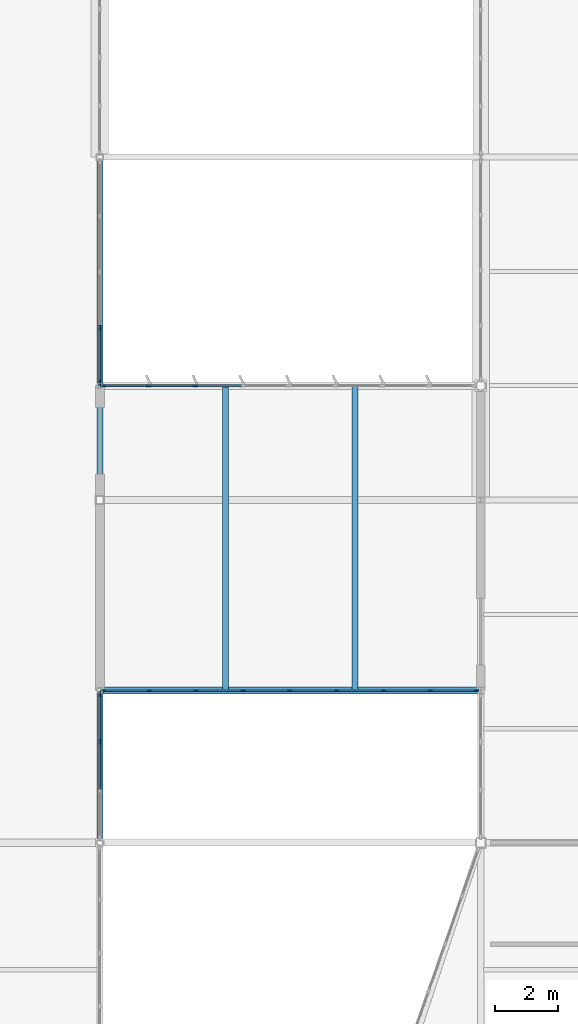
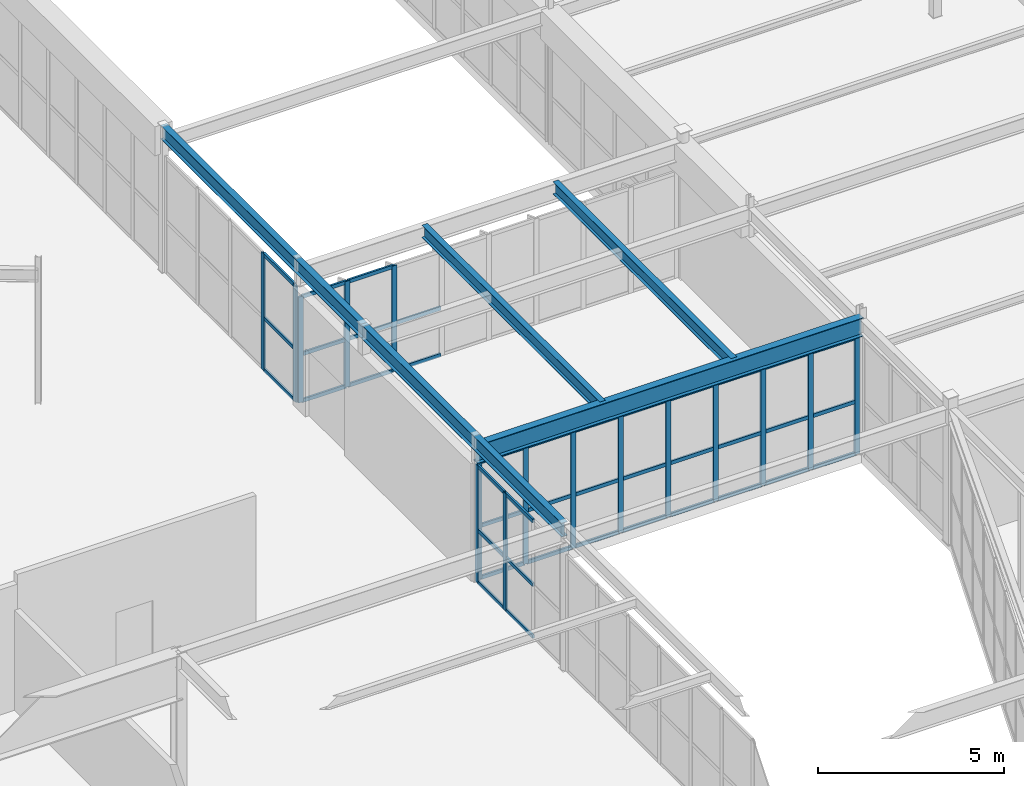
# One storey, part 104 of 186: 57 members, 5 beams, 4 elements without a shape of their own.
"""IFC4 building model written with IfcOpenShell, lengths in metres."""

from ifc_helpers import new_model, si_unit, direction, frame, origin, origin_2d, place, context, subcontext, project, spatial, rectangle, i_section, extrude, material, layer, layer_set, material_profile, profile_set, type_object, element, aggregate, save


model = new_model("IFC4")

# Units and contexts
model_context = context("Model", 3, precision=1e-05, world=origin(), true_north=direction((0.0, 1.0)))
body_context = subcontext(model_context, "Body", "Model", "MODEL_VIEW")
ifc_project = project(units=[si_unit("LENGTHUNIT", "METRE"), si_unit("AREAUNIT", "SQUARE_METRE"), si_unit("VOLUMEUNIT", "CUBIC_METRE"), si_unit("PLANEANGLEUNIT", "RADIAN"), si_unit("MASSUNIT", "GRAM", prefix="KILO")], contexts=[model_context])

# Site, building, storey
site_placement = place(None, origin())
site = spatial("IfcSite", under=ifc_project, at=site_placement, CompositionType="ELEMENT")
building_placement = place(site_placement, origin())
building = spatial("IfcBuilding", under=site, at=building_placement, Name="Tarnwether General Hospital", CompositionType="ELEMENT")
storey_placement = place(building_placement, frame((0.0, 0.0, 9.60009765625)))
storey = spatial("IfcBuildingStorey", under=building, at=storey_placement, Name="L02", CompositionType="ELEMENT", Elevation=9.60009765625)

# Beams
ifc_material_1 = material(Name="Steel Grade 350 (350 MPa)", Category="steel")
ifc_material_profile_1 = material_profile(ifc_material_1, i_section(OverallWidth=0.22900390625, OverallDepth=0.612060546875, WebThickness=0.011962890625, FlangeThickness=0.01953125, at=origin_2d()), Name="610UB125")
ifc_profile_set_1 = profile_set([ifc_material_profile_1], Name="Steel Grade 350 (350 MPa)")
beam_type_1 = type_object("IfcBeamType", Name="BM-G03", PredefinedType="BEAM", material=ifc_profile_set_1)
beam_1_placement = place(storey_placement, frame((132.0, 98.39990234375, 4.183837890625), z_axis=(1.0, 0.0, 0.0), x_axis=(0.0, 1.0, 0.0)))
element("IfcBeam", 1, at=beam_1_placement, inside=storey, type_object=beam_type_1, Name="Court Link Bridge Girder North BMG-L02-13200_9840-14400_9840-1874", PredefinedType="BEAM", context=body_context, shape_type="SweptSolid", body=[
    extrude(i_section(OverallWidth=0.22900390625, OverallDepth=0.612060546875, WebThickness=0.011962890625, FlangeThickness=0.01953125, at=origin_2d()), origin(), (0.0, 0.0, 1.0), 12.0),
])
ifc_material_2 = material(Name="Steel Grade 350 (350 MPa)", Category="steel")
ifc_material_profile_2 = material_profile(ifc_material_2, i_section(OverallWidth=0.18994140625, OverallDepth=0.45703125, WebThickness=0.009033203125, FlangeThickness=0.014404296875, at=origin_2d()), Name="460UB74.6")
ifc_profile_set_2 = profile_set([ifc_material_profile_2], Name="Steel Grade 350 (350 MPa)")
beam_type_2 = type_object("IfcBeamType", Name="BM-G09", PredefinedType="BEAM", material=ifc_profile_set_2)
beam_2_placement = place(storey_placement, frame((132.0, 93.60009765625, 4.5712890625), z_axis=(0.0, 1.0, 0.0), x_axis=(-1.0, 0.0, 0.0)))
element("IfcBeam", 2, at=beam_2_placement, inside=storey, type_object=beam_type_2, Name="Primary Girder BMG-L02-13200_9360-13200_10440-1561", PredefinedType="BEAM", context=body_context, shape_type="SweptSolid", body=[
    extrude(i_section(OverallWidth=0.18994140625, OverallDepth=0.45703125, WebThickness=0.009033203125, FlangeThickness=0.014404296875, at=origin_2d()), origin(), (0.0, 0.0, 1.0), 10.7998046875),
])
ifc_material_3 = material(Name="Steel Grade 350 (350 MPa)", Category="steel")
ifc_material_profile_3 = material_profile(ifc_material_3, i_section(OverallWidth=0.18994140625, OverallDepth=0.4541015625, WebThickness=0.008544921875, FlangeThickness=0.0126953125, at=origin_2d()), Name="460UB67.1")
ifc_profile_set_3 = profile_set([ifc_material_profile_3], Name="Steel Grade 350 (350 MPa)")
beam_type_3 = type_object("IfcBeamType", Name="BM-G10", PredefinedType="BEAM", material=ifc_profile_set_3)
beam_3_placement = place(storey_placement, frame((132.0, 104.39990234375, 4.572998046875), z_axis=(0.0, 1.0, 0.0), x_axis=(-1.0, 0.0, 0.0)))
element("IfcBeam", 3, at=beam_3_placement, inside=storey, type_object=beam_type_3, Name="Primary Girder BMG-L02-13200_10440-13200_11520-1563", PredefinedType="BEAM", context=body_context, shape_type="SweptSolid", body=[
    extrude(i_section(OverallWidth=0.18994140625, OverallDepth=0.4541015625, WebThickness=0.008544921875, FlangeThickness=0.0126953125, at=origin_2d()), origin(), (0.0, 0.0, 1.0), 10.800048828125),
])
ifc_material_4 = material(Name="Steel Grade 350 (350 MPa)", Category="steel")
ifc_material_profile_4 = material_profile(ifc_material_4, i_section(OverallWidth=0.177978515625, OverallDepth=0.403076171875, WebThickness=0.007568359375, FlangeThickness=0.010986328125, at=origin_2d()), Name="410UB53.7")
ifc_profile_set_4 = profile_set([ifc_material_profile_4], Name="Steel Grade 350 (350 MPa)")
beam_type_4 = type_object("IfcBeamType", Name="BM-J02", PredefinedType="JOIST", material=ifc_profile_set_4)
for number, where, z_axis, x_axis, name in (
    (4, (135.9599609375, 98.39990234375, 4.288330078125), (0.0, 1.0, 0.0), (-1.0, 0.0, 0.0), "Court Link Bridge Cross Beam North BMG-L02-13596_9840-13596_10800-1876"),
    (5, (140.0400390625, 98.39990234375, 4.288330078125), (0.0, 1.0, 0.0), (-1.0, 0.0, 0.0), "Court Link Bridge Cross Beam North BMG-L02-14004_9840-14004_10800-1877"),
):
    element("IfcBeam", number, at=place(storey_placement, frame(where, z_axis=z_axis, x_axis=x_axis)), inside=storey, type_object=beam_type_4, Name=name, PredefinedType="JOIST", context=body_context, shape_type="SweptSolid", body=[
        extrude(i_section(OverallWidth=0.177978515625, OverallDepth=0.403076171875, WebThickness=0.007568359375, FlangeThickness=0.010986328125, at=origin_2d()), origin(), (0.0, 0.0, 1.0), 9.60009765625),
    ])

# Curtain wall, members
ifc_material_5 = material(Name="Anodised aluminium", Category="aluminium")
ifc_layer_1 = layer(ifc_material_5, 0.159912109375)
ifc_layer_set_1 = layer_set([ifc_layer_1], Name="Anodised aluminium")
curtain_wall_type_1 = type_object("IfcCurtainWallType", Name="CW-15", PredefinedType="NOTDEFINED", material=ifc_layer_set_1)
curtain_wall_1_placement = place(storey_placement, origin())
curtain_wall_1 = element("IfcCurtainWall", 6, at=curtain_wall_1_placement, inside=storey, type_object=curtain_wall_type_1, Name="Curtain Wall CWG-L02-1320_983-0443", PredefinedType="NOTDEFINED")
ifc_material_6 = material(Name="Anodised aluminium", Category="aluminium")
ifc_material_profile_5 = material_profile(ifc_material_6, rectangle(XDim=0.06005859375, YDim=0.159912109375, at=origin_2d()), Name="ALU-MUL-60x160")
ifc_profile_set_5 = profile_set([ifc_material_profile_5], Name="Anodised aluminium")
member_type_1 = type_object("IfcMemberType", Name="CW-ML1", PredefinedType="MULLION", material=ifc_profile_set_5)
member_1_placement = place(storey_placement, frame((132.0, 98.287109375, 0.0), z_axis=(0.0, 0.0, 1.0), x_axis=(1.0, 0.0, 0.0)))
member_1 = element("IfcMember", 7, at=member_1_placement, type_object=member_type_1, Name="CW-15 mullion 1", PredefinedType="MULLION", context=body_context, shape_type="SweptSolid", body=[
    extrude(rectangle(XDim=0.06005859375, YDim=0.159912109375, at=origin_2d()), origin(), (0.0, 0.0, 1.0), 3.86279296875),
])
member_2_placement = place(storey_placement, frame((132.0, 96.783935546875, 0.0), z_axis=(0.0, 0.0, 1.0), x_axis=(1.0, 0.0, 0.0)))
member_2 = element("IfcMember", 8, at=member_2_placement, type_object=member_type_1, Name="CW-15 mullion 2", PredefinedType="MULLION", context=body_context, shape_type="SweptSolid", body=[
    extrude(rectangle(XDim=0.06005859375, YDim=0.159912109375, at=origin_2d()), origin(), (0.0, 0.0, 1.0), 3.86279296875),
])

curtain_wall_2_placement = place(storey_placement, origin())
curtain_wall_2 = element("IfcCurtainWall", 9, at=curtain_wall_2_placement, inside=storey, type_object=curtain_wall_type_1, Name="Curtain Wall CWG-L02-1320_1151-0449", PredefinedType="NOTDEFINED")
member_3_placement = place(storey_placement, frame((132.0, 109.825439453125, 0.0), z_axis=(0.0, 0.0, 1.0), x_axis=(1.0, 0.0, 0.0)))
member_3 = element("IfcMember", 10, at=member_3_placement, type_object=member_type_1, Name="CW-15 mullion 4", PredefinedType="MULLION", context=body_context, shape_type="SweptSolid", body=[
    extrude(rectangle(XDim=0.06005859375, YDim=0.159912109375, at=origin_2d()), origin(), (0.0, 0.0, 1.0), 3.8349609375),
])
member_4_placement = place(storey_placement, frame((132.0, 108.10009765625, 0.0), z_axis=(0.0, 0.0, 1.0), x_axis=(1.0, 0.0, 0.0)))
member_4 = element("IfcMember", 11, at=member_4_placement, type_object=member_type_1, Name="CW-15 mullion 5", PredefinedType="MULLION", context=body_context, shape_type="SweptSolid", body=[
    extrude(rectangle(XDim=0.06005859375, YDim=0.159912109375, at=origin_2d()), origin(), (0.0, 0.0, 1.0), 3.8349609375),
])

ifc_material_7 = material(Name="Anodised aluminium", Category="aluminium")
ifc_layer_2 = layer(ifc_material_7, 0.159912109375)
ifc_layer_set_2 = layer_set([ifc_layer_2], Name="Anodised aluminium")
curtain_wall_type_2 = type_object("IfcCurtainWallType", Name="CW-21", PredefinedType="NOTDEFINED", material=ifc_layer_set_2)
curtain_wall_3_placement = place(storey_placement, origin())
curtain_wall_3 = element("IfcCurtainWall", 12, at=curtain_wall_3_placement, inside=storey, type_object=curtain_wall_type_2, Name="Curtain Wall CWG-L02-1321_1080-0474", PredefinedType="NOTDEFINED")
member_5_placement = place(storey_placement, frame((132.10107421875, 108.0, 0.0), z_axis=(0.0, 0.0, 1.0), x_axis=(0.0, 1.0, 0.0)))
member_5 = element("IfcMember", 13, at=member_5_placement, type_object=member_type_1, Name="CW-21 mullion 1", PredefinedType="MULLION", context=body_context, shape_type="SweptSolid", body=[
    extrude(rectangle(XDim=0.06005859375, YDim=0.159912109375, at=origin_2d()), origin(), (0.0, 0.0, 1.0), 3.47998046875),
])
member_6_placement = place(storey_placement, frame((133.540771484375, 108.0, 0.0), z_axis=(0.0, 0.0, 1.0), x_axis=(0.0, 1.0, 0.0)))
member_6 = element("IfcMember", 14, at=member_6_placement, type_object=member_type_1, Name="CW-21 mullion 2", PredefinedType="MULLION", context=body_context, shape_type="SweptSolid", body=[
    extrude(rectangle(XDim=0.06005859375, YDim=0.159912109375, at=origin_2d()), origin(), (0.0, 0.0, 1.0), 3.47998046875),
])
member_7_placement = place(storey_placement, frame((135.0107421875, 108.0, 0.0), z_axis=(0.0, 0.0, 1.0), x_axis=(0.0, 1.0, 0.0)))
member_7 = element("IfcMember", 15, at=member_7_placement, type_object=member_type_1, Name="CW-21 mullion 3", PredefinedType="MULLION", context=body_context, shape_type="SweptSolid", body=[
    extrude(rectangle(XDim=0.06005859375, YDim=0.159912109375, at=origin_2d()), origin(), (0.0, 0.0, 1.0), 3.47998046875),
])

ifc_material_8 = material(Name="Anodised aluminium", Category="aluminium")
ifc_layer_3 = layer(ifc_material_8, 0.159912109375)
ifc_layer_set_3 = layer_set([ifc_layer_3], Name="Anodised aluminium")
curtain_wall_type_3 = type_object("IfcCurtainWallType", Name="CW-22", PredefinedType="NOTDEFINED", material=ifc_layer_set_3)
curtain_wall_4_placement = place(storey_placement, origin())
curtain_wall_4 = element("IfcCurtainWall", 16, at=curtain_wall_4_placement, inside=storey, type_object=curtain_wall_type_3, Name="Curtain Wall CWG-L02-1439_984-0475", PredefinedType="NOTDEFINED")
member_8_placement = place(storey_placement, frame((143.85888671875, 98.39990234375, 0.0), z_axis=(0.0, 0.0, 1.0), x_axis=(0.0, -1.0, 0.0)))
member_8 = element("IfcMember", 17, at=member_8_placement, type_object=member_type_1, Name="CW-22 mullion 1", PredefinedType="MULLION", context=body_context, shape_type="SweptSolid", body=[
    extrude(rectangle(XDim=0.06005859375, YDim=0.159912109375, at=origin_2d()), origin(), (0.0, 0.0, 1.0), 3.86279296875),
])
member_9_placement = place(storey_placement, frame((142.413330078125, 98.39990234375, 0.0), z_axis=(0.0, 0.0, 1.0), x_axis=(0.0, -1.0, 0.0)))
member_9 = element("IfcMember", 18, at=member_9_placement, type_object=member_type_1, Name="CW-22 mullion 2", PredefinedType="MULLION", context=body_context, shape_type="SweptSolid", body=[
    extrude(rectangle(XDim=0.06005859375, YDim=0.159912109375, at=origin_2d()), origin(), (0.0, 0.0, 1.0), 3.86279296875),
])
member_10_placement = place(storey_placement, frame((140.9375, 98.39990234375, 0.0), z_axis=(0.0, 0.0, 1.0), x_axis=(0.0, -1.0, 0.0)))
member_10 = element("IfcMember", 19, at=member_10_placement, type_object=member_type_1, Name="CW-22 mullion 3", PredefinedType="MULLION", context=body_context, shape_type="SweptSolid", body=[
    extrude(rectangle(XDim=0.06005859375, YDim=0.159912109375, at=origin_2d()), origin(), (0.0, 0.0, 1.0), 3.86279296875),
])
member_11_placement = place(storey_placement, frame((139.461669921875, 98.39990234375, 0.0), z_axis=(0.0, 0.0, 1.0), x_axis=(0.0, -1.0, 0.0)))
member_11 = element("IfcMember", 20, at=member_11_placement, type_object=member_type_1, Name="CW-22 mullion 4", PredefinedType="MULLION", context=body_context, shape_type="SweptSolid", body=[
    extrude(rectangle(XDim=0.06005859375, YDim=0.159912109375, at=origin_2d()), origin(), (0.0, 0.0, 1.0), 3.86279296875),
])
member_12_placement = place(storey_placement, frame((137.986083984375, 98.39990234375, 0.0), z_axis=(0.0, 0.0, 1.0), x_axis=(0.0, -1.0, 0.0)))
member_12 = element("IfcMember", 21, at=member_12_placement, type_object=member_type_1, Name="CW-22 mullion 5", PredefinedType="MULLION", context=body_context, shape_type="SweptSolid", body=[
    extrude(rectangle(XDim=0.06005859375, YDim=0.159912109375, at=origin_2d()), origin(), (0.0, 0.0, 1.0), 3.86279296875),
])
member_13_placement = place(storey_placement, frame((136.51025390625, 98.39990234375, 0.0), z_axis=(0.0, 0.0, 1.0), x_axis=(0.0, -1.0, 0.0)))
member_13 = element("IfcMember", 22, at=member_13_placement, type_object=member_type_1, Name="CW-22 mullion 6", PredefinedType="MULLION", context=body_context, shape_type="SweptSolid", body=[
    extrude(rectangle(XDim=0.06005859375, YDim=0.159912109375, at=origin_2d()), origin(), (0.0, 0.0, 1.0), 3.86279296875),
])
member_14_placement = place(storey_placement, frame((135.034423828125, 98.39990234375, 0.0), z_axis=(0.0, 0.0, 1.0), x_axis=(0.0, -1.0, 0.0)))
member_14 = element("IfcMember", 23, at=member_14_placement, type_object=member_type_1, Name="CW-22 mullion 7", PredefinedType="MULLION", context=body_context, shape_type="SweptSolid", body=[
    extrude(rectangle(XDim=0.06005859375, YDim=0.159912109375, at=origin_2d()), origin(), (0.0, 0.0, 1.0), 3.86279296875),
])
member_15_placement = place(storey_placement, frame((133.558837890625, 98.39990234375, 0.0), z_axis=(0.0, 0.0, 1.0), x_axis=(0.0, -1.0, 0.0)))
member_15 = element("IfcMember", 24, at=member_15_placement, type_object=member_type_1, Name="CW-22 mullion 8", PredefinedType="MULLION", context=body_context, shape_type="SweptSolid", body=[
    extrude(rectangle(XDim=0.06005859375, YDim=0.159912109375, at=origin_2d()), origin(), (0.0, 0.0, 1.0), 3.86279296875),
])
member_16_placement = place(storey_placement, frame((132.113037109375, 98.39990234375, 0.0), z_axis=(0.0, 0.0, 1.0), x_axis=(0.0, -1.0, 0.0)))
member_16 = element("IfcMember", 25, at=member_16_placement, type_object=member_type_1, Name="CW-22 mullion 9", PredefinedType="MULLION", context=body_context, shape_type="SweptSolid", body=[
    extrude(rectangle(XDim=0.06005859375, YDim=0.159912109375, at=origin_2d()), origin(), (0.0, 0.0, 1.0), 3.86279296875),
])

# Member
ifc_material_9 = material(Name="Anodised aluminium", Category="aluminium")
ifc_material_profile_6 = material_profile(ifc_material_9, rectangle(XDim=0.06005859375, YDim=0.1201171875, at=origin_2d()), Name="ALU-TRN-60x120")
ifc_profile_set_6 = profile_set([ifc_material_profile_6], Name="Anodised aluminium")
member_type_2 = type_object("IfcMemberType", Name="CW-TR1", PredefinedType="USERDEFINED", material=ifc_profile_set_6)
member_17_placement = place(storey_placement, frame((132.0, 98.257080078125, 0.02978515625), z_axis=(0.0, -1.0, 0.0), x_axis=(1.0, 0.0, 0.0)))
member_17 = element("IfcMember", 26, at=member_17_placement, type_object=member_type_2, Name="CW-15 transom 1.1", ObjectType="TRANSOM", PredefinedType="USERDEFINED", context=body_context, shape_type="SweptSolid", body=[
    extrude(rectangle(XDim=0.06005859375, YDim=0.1201171875, at=origin_2d()), origin(), (0.0, 0.0, 1.0), 1.443115234375),
])

member_18_placement = place(storey_placement, frame((132.0, 98.257080078125, 1.73828125), z_axis=(0.0, -1.0, 0.0), x_axis=(1.0, 0.0, 0.0)))
member_18 = element("IfcMember", 27, at=member_18_placement, type_object=member_type_2, Name="CW-15 transom 1.2", ObjectType="TRANSOM", PredefinedType="USERDEFINED", context=body_context, shape_type="SweptSolid", body=[
    extrude(rectangle(XDim=0.06005859375, YDim=0.1201171875, at=origin_2d()), origin(), (0.0, 0.0, 1.0), 1.443115234375),
])

member_19_placement = place(storey_placement, frame((132.0, 98.257080078125, 3.8330078125), z_axis=(0.0, -1.0, 0.0), x_axis=(1.0, 0.0, 0.0)))
member_19 = element("IfcMember", 28, at=member_19_placement, type_object=member_type_2, Name="CW-15 transom 1.3", ObjectType="TRANSOM", PredefinedType="USERDEFINED", context=body_context, shape_type="SweptSolid", body=[
    extrude(rectangle(XDim=0.06005859375, YDim=0.1201171875, at=origin_2d()), origin(), (0.0, 0.0, 1.0), 1.443115234375),
])

member_20_placement = place(storey_placement, frame((132.0, 96.75390625, 0.02978515625), z_axis=(0.0, -1.0, 0.0), x_axis=(1.0, 0.0, 0.0)))
member_20 = element("IfcMember", 29, at=member_20_placement, type_object=member_type_2, Name="CW-15 transom 2.1", ObjectType="TRANSOM", PredefinedType="USERDEFINED", context=body_context, shape_type="SweptSolid", body=[
    extrude(rectangle(XDim=0.06005859375, YDim=0.1201171875, at=origin_2d()), origin(), (0.0, 0.0, 1.0), 1.472900390625),
])

member_21_placement = place(storey_placement, frame((132.0, 96.75390625, 1.73828125), z_axis=(0.0, -1.0, 0.0), x_axis=(1.0, 0.0, 0.0)))
member_21 = element("IfcMember", 30, at=member_21_placement, type_object=member_type_2, Name="CW-15 transom 2.2", ObjectType="TRANSOM", PredefinedType="USERDEFINED", context=body_context, shape_type="SweptSolid", body=[
    extrude(rectangle(XDim=0.06005859375, YDim=0.1201171875, at=origin_2d()), origin(), (0.0, 0.0, 1.0), 1.472900390625),
])

member_22_placement = place(storey_placement, frame((132.0, 96.75390625, 3.8330078125), z_axis=(0.0, -1.0, 0.0), x_axis=(1.0, 0.0, 0.0)))
member_22 = element("IfcMember", 31, at=member_22_placement, type_object=member_type_2, Name="CW-15 transom 2.3", ObjectType="TRANSOM", PredefinedType="USERDEFINED", context=body_context, shape_type="SweptSolid", body=[
    extrude(rectangle(XDim=0.06005859375, YDim=0.1201171875, at=origin_2d()), origin(), (0.0, 0.0, 1.0), 1.472900390625),
])

aggregate(curtain_wall_1, [member_1, member_2, member_17, member_18, member_19, member_20, member_21, member_22])

member_23_placement = place(storey_placement, frame((132.0, 109.79541015625, 0.02978515625), z_axis=(0.0, -1.0, 0.0), x_axis=(1.0, 0.0, 0.0)))
member_23 = element("IfcMember", 32, at=member_23_placement, type_object=member_type_2, Name="CW-15 transom 4.1", ObjectType="TRANSOM", PredefinedType="USERDEFINED", context=body_context, shape_type="SweptSolid", body=[
    extrude(rectangle(XDim=0.06005859375, YDim=0.1201171875, at=origin_2d()), origin(), (0.0, 0.0, 1.0), 1.66552734375),
])

member_24_placement = place(storey_placement, frame((132.0, 109.79541015625, 1.7255859375), z_axis=(0.0, -1.0, 0.0), x_axis=(1.0, 0.0, 0.0)))
member_24 = element("IfcMember", 33, at=member_24_placement, type_object=member_type_2, Name="CW-15 transom 4.2", ObjectType="TRANSOM", PredefinedType="USERDEFINED", context=body_context, shape_type="SweptSolid", body=[
    extrude(rectangle(XDim=0.06005859375, YDim=0.1201171875, at=origin_2d()), origin(), (0.0, 0.0, 1.0), 1.66552734375),
])

member_25_placement = place(storey_placement, frame((132.0, 109.79541015625, 3.804931640625), z_axis=(0.0, -1.0, 0.0), x_axis=(1.0, 0.0, 0.0)))
member_25 = element("IfcMember", 34, at=member_25_placement, type_object=member_type_2, Name="CW-15 transom 4.3", ObjectType="TRANSOM", PredefinedType="USERDEFINED", context=body_context, shape_type="SweptSolid", body=[
    extrude(rectangle(XDim=0.06005859375, YDim=0.1201171875, at=origin_2d()), origin(), (0.0, 0.0, 1.0), 1.66552734375),
])

aggregate(curtain_wall_2, [member_3, member_4, member_23, member_24, member_25])

member_26_placement = place(storey_placement, frame((132.131103515625, 108.0, 0.02978515625), z_axis=(1.0, 0.0, 0.0), x_axis=(0.0, 1.0, 0.0)))
member_26 = element("IfcMember", 35, at=member_26_placement, type_object=member_type_2, Name="CW-21 transom 1.1", ObjectType="TRANSOM", PredefinedType="USERDEFINED", context=body_context, shape_type="SweptSolid", body=[
    extrude(rectangle(XDim=0.06005859375, YDim=0.1201171875, at=origin_2d()), origin(), (0.0, 0.0, 1.0), 1.3798828125),
])

member_27_placement = place(storey_placement, frame((132.131103515625, 108.0, 1.56591796875), z_axis=(1.0, 0.0, 0.0), x_axis=(0.0, 1.0, 0.0)))
member_27 = element("IfcMember", 36, at=member_27_placement, type_object=member_type_2, Name="CW-21 transom 1.2", ObjectType="TRANSOM", PredefinedType="USERDEFINED", context=body_context, shape_type="SweptSolid", body=[
    extrude(rectangle(XDim=0.06005859375, YDim=0.1201171875, at=origin_2d()), origin(), (0.0, 0.0, 1.0), 1.3798828125),
])

member_28_placement = place(storey_placement, frame((132.131103515625, 108.0, 3.449951171875), z_axis=(1.0, 0.0, 0.0), x_axis=(0.0, 1.0, 0.0)))
member_28 = element("IfcMember", 37, at=member_28_placement, type_object=member_type_2, Name="CW-21 transom 1.3", ObjectType="TRANSOM", PredefinedType="USERDEFINED", context=body_context, shape_type="SweptSolid", body=[
    extrude(rectangle(XDim=0.06005859375, YDim=0.1201171875, at=origin_2d()), origin(), (0.0, 0.0, 1.0), 1.3798828125),
])

member_29_placement = place(storey_placement, frame((133.57080078125, 108.0, 0.02978515625), z_axis=(1.0, 0.0, 0.0), x_axis=(0.0, 1.0, 0.0)))
member_29 = element("IfcMember", 38, at=member_29_placement, type_object=member_type_2, Name="CW-21 transom 2.1", ObjectType="TRANSOM", PredefinedType="USERDEFINED", context=body_context, shape_type="SweptSolid", body=[
    extrude(rectangle(XDim=0.06005859375, YDim=0.1201171875, at=origin_2d()), origin(), (0.0, 0.0, 1.0), 1.409912109375),
])

member_30_placement = place(storey_placement, frame((133.57080078125, 108.0, 1.56591796875), z_axis=(1.0, 0.0, 0.0), x_axis=(0.0, 1.0, 0.0)))
member_30 = element("IfcMember", 39, at=member_30_placement, type_object=member_type_2, Name="CW-21 transom 2.2", ObjectType="TRANSOM", PredefinedType="USERDEFINED", context=body_context, shape_type="SweptSolid", body=[
    extrude(rectangle(XDim=0.06005859375, YDim=0.1201171875, at=origin_2d()), origin(), (0.0, 0.0, 1.0), 1.409912109375),
])

member_31_placement = place(storey_placement, frame((133.57080078125, 108.0, 3.449951171875), z_axis=(1.0, 0.0, 0.0), x_axis=(0.0, 1.0, 0.0)))
member_31 = element("IfcMember", 40, at=member_31_placement, type_object=member_type_2, Name="CW-21 transom 2.3", ObjectType="TRANSOM", PredefinedType="USERDEFINED", context=body_context, shape_type="SweptSolid", body=[
    extrude(rectangle(XDim=0.06005859375, YDim=0.1201171875, at=origin_2d()), origin(), (0.0, 0.0, 1.0), 1.409912109375),
])

member_32_placement = place(storey_placement, frame((135.040771484375, 108.0, 0.02978515625), z_axis=(1.0, 0.0, 0.0), x_axis=(0.0, 1.0, 0.0)))
member_32 = element("IfcMember", 41, at=member_32_placement, type_object=member_type_2, Name="CW-21 transom 3.1", ObjectType="TRANSOM", PredefinedType="USERDEFINED", context=body_context, shape_type="SweptSolid", body=[
    extrude(rectangle(XDim=0.06005859375, YDim=0.1201171875, at=origin_2d()), origin(), (0.0, 0.0, 1.0), 1.409912109375),
])

member_33_placement = place(storey_placement, frame((135.040771484375, 108.0, 1.56591796875), z_axis=(1.0, 0.0, 0.0), x_axis=(0.0, 1.0, 0.0)))
member_33 = element("IfcMember", 42, at=member_33_placement, type_object=member_type_2, Name="CW-21 transom 3.2", ObjectType="TRANSOM", PredefinedType="USERDEFINED", context=body_context, shape_type="SweptSolid", body=[
    extrude(rectangle(XDim=0.06005859375, YDim=0.1201171875, at=origin_2d()), origin(), (0.0, 0.0, 1.0), 1.409912109375),
])

aggregate(curtain_wall_3, [member_5, member_6, member_7, member_26, member_27, member_28, member_29, member_30, member_31, member_32, member_33])

member_34_placement = place(storey_placement, frame((143.8291015625, 98.39990234375, 0.02978515625), z_axis=(-1.0, 0.0, 0.0), x_axis=(0.0, -1.0, 0.0)))
member_34 = element("IfcMember", 43, at=member_34_placement, type_object=member_type_2, Name="CW-22 transom 1.1", ObjectType="TRANSOM", PredefinedType="USERDEFINED", context=body_context, shape_type="SweptSolid", body=[
    extrude(rectangle(XDim=0.06005859375, YDim=0.1201171875, at=origin_2d()), origin(), (0.0, 0.0, 1.0), 1.3857421875),
])

member_35_placement = place(storey_placement, frame((143.8291015625, 98.39990234375, 1.73828125), z_axis=(-1.0, 0.0, 0.0), x_axis=(0.0, -1.0, 0.0)))
member_35 = element("IfcMember", 44, at=member_35_placement, type_object=member_type_2, Name="CW-22 transom 1.2", ObjectType="TRANSOM", PredefinedType="USERDEFINED", context=body_context, shape_type="SweptSolid", body=[
    extrude(rectangle(XDim=0.06005859375, YDim=0.1201171875, at=origin_2d()), origin(), (0.0, 0.0, 1.0), 1.3857421875),
])

member_36_placement = place(storey_placement, frame((143.8291015625, 98.39990234375, 3.8330078125), z_axis=(-1.0, 0.0, 0.0), x_axis=(0.0, -1.0, 0.0)))
member_36 = element("IfcMember", 45, at=member_36_placement, type_object=member_type_2, Name="CW-22 transom 1.3", ObjectType="TRANSOM", PredefinedType="USERDEFINED", context=body_context, shape_type="SweptSolid", body=[
    extrude(rectangle(XDim=0.06005859375, YDim=0.1201171875, at=origin_2d()), origin(), (0.0, 0.0, 1.0), 1.3857421875),
])

member_37_placement = place(storey_placement, frame((142.38330078125, 98.39990234375, 0.02978515625), z_axis=(-1.0, 0.0, 0.0), x_axis=(0.0, -1.0, 0.0)))
member_37 = element("IfcMember", 46, at=member_37_placement, type_object=member_type_2, Name="CW-22 transom 2.1", ObjectType="TRANSOM", PredefinedType="USERDEFINED", context=body_context, shape_type="SweptSolid", body=[
    extrude(rectangle(XDim=0.06005859375, YDim=0.1201171875, at=origin_2d()), origin(), (0.0, 0.0, 1.0), 1.415771484375),
])

member_38_placement = place(storey_placement, frame((142.38330078125, 98.39990234375, 1.73828125), z_axis=(-1.0, 0.0, 0.0), x_axis=(0.0, -1.0, 0.0)))
member_38 = element("IfcMember", 47, at=member_38_placement, type_object=member_type_2, Name="CW-22 transom 2.2", ObjectType="TRANSOM", PredefinedType="USERDEFINED", context=body_context, shape_type="SweptSolid", body=[
    extrude(rectangle(XDim=0.06005859375, YDim=0.1201171875, at=origin_2d()), origin(), (0.0, 0.0, 1.0), 1.415771484375),
])

member_39_placement = place(storey_placement, frame((142.38330078125, 98.39990234375, 3.8330078125), z_axis=(-1.0, 0.0, 0.0), x_axis=(0.0, -1.0, 0.0)))
member_39 = element("IfcMember", 48, at=member_39_placement, type_object=member_type_2, Name="CW-22 transom 2.3", ObjectType="TRANSOM", PredefinedType="USERDEFINED", context=body_context, shape_type="SweptSolid", body=[
    extrude(rectangle(XDim=0.06005859375, YDim=0.1201171875, at=origin_2d()), origin(), (0.0, 0.0, 1.0), 1.415771484375),
])

member_40_placement = place(storey_placement, frame((140.907470703125, 98.39990234375, 0.02978515625), z_axis=(-1.0, 0.0, 0.0), x_axis=(0.0, -1.0, 0.0)))
member_40 = element("IfcMember", 49, at=member_40_placement, type_object=member_type_2, Name="CW-22 transom 3.1", ObjectType="TRANSOM", PredefinedType="USERDEFINED", context=body_context, shape_type="SweptSolid", body=[
    extrude(rectangle(XDim=0.06005859375, YDim=0.1201171875, at=origin_2d()), origin(), (0.0, 0.0, 1.0), 1.415771484375),
])

member_41_placement = place(storey_placement, frame((140.907470703125, 98.39990234375, 1.73828125), z_axis=(-1.0, 0.0, 0.0), x_axis=(0.0, -1.0, 0.0)))
member_41 = element("IfcMember", 50, at=member_41_placement, type_object=member_type_2, Name="CW-22 transom 3.2", ObjectType="TRANSOM", PredefinedType="USERDEFINED", context=body_context, shape_type="SweptSolid", body=[
    extrude(rectangle(XDim=0.06005859375, YDim=0.1201171875, at=origin_2d()), origin(), (0.0, 0.0, 1.0), 1.415771484375),
])

member_42_placement = place(storey_placement, frame((140.907470703125, 98.39990234375, 3.8330078125), z_axis=(-1.0, 0.0, 0.0), x_axis=(0.0, -1.0, 0.0)))
member_42 = element("IfcMember", 51, at=member_42_placement, type_object=member_type_2, Name="CW-22 transom 3.3", ObjectType="TRANSOM", PredefinedType="USERDEFINED", context=body_context, shape_type="SweptSolid", body=[
    extrude(rectangle(XDim=0.06005859375, YDim=0.1201171875, at=origin_2d()), origin(), (0.0, 0.0, 1.0), 1.415771484375),
])

member_43_placement = place(storey_placement, frame((139.431640625, 98.39990234375, 0.02978515625), z_axis=(-1.0, 0.0, 0.0), x_axis=(0.0, -1.0, 0.0)))
member_43 = element("IfcMember", 52, at=member_43_placement, type_object=member_type_2, Name="CW-22 transom 4.1", ObjectType="TRANSOM", PredefinedType="USERDEFINED", context=body_context, shape_type="SweptSolid", body=[
    extrude(rectangle(XDim=0.06005859375, YDim=0.1201171875, at=origin_2d()), origin(), (0.0, 0.0, 1.0), 1.41552734375),
])

member_44_placement = place(storey_placement, frame((139.431640625, 98.39990234375, 1.73828125), z_axis=(-1.0, 0.0, 0.0), x_axis=(0.0, -1.0, 0.0)))
member_44 = element("IfcMember", 53, at=member_44_placement, type_object=member_type_2, Name="CW-22 transom 4.2", ObjectType="TRANSOM", PredefinedType="USERDEFINED", context=body_context, shape_type="SweptSolid", body=[
    extrude(rectangle(XDim=0.06005859375, YDim=0.1201171875, at=origin_2d()), origin(), (0.0, 0.0, 1.0), 1.41552734375),
])

member_45_placement = place(storey_placement, frame((139.431640625, 98.39990234375, 3.8330078125), z_axis=(-1.0, 0.0, 0.0), x_axis=(0.0, -1.0, 0.0)))
member_45 = element("IfcMember", 54, at=member_45_placement, type_object=member_type_2, Name="CW-22 transom 4.3", ObjectType="TRANSOM", PredefinedType="USERDEFINED", context=body_context, shape_type="SweptSolid", body=[
    extrude(rectangle(XDim=0.06005859375, YDim=0.1201171875, at=origin_2d()), origin(), (0.0, 0.0, 1.0), 1.41552734375),
])

member_46_placement = place(storey_placement, frame((137.9560546875, 98.39990234375, 0.02978515625), z_axis=(-1.0, 0.0, 0.0), x_axis=(0.0, -1.0, 0.0)))
member_46 = element("IfcMember", 55, at=member_46_placement, type_object=member_type_2, Name="CW-22 transom 5.1", ObjectType="TRANSOM", PredefinedType="USERDEFINED", context=body_context, shape_type="SweptSolid", body=[
    extrude(rectangle(XDim=0.06005859375, YDim=0.1201171875, at=origin_2d()), origin(), (0.0, 0.0, 1.0), 1.415771484375),
])

member_47_placement = place(storey_placement, frame((137.9560546875, 98.39990234375, 1.73828125), z_axis=(-1.0, 0.0, 0.0), x_axis=(0.0, -1.0, 0.0)))
member_47 = element("IfcMember", 56, at=member_47_placement, type_object=member_type_2, Name="CW-22 transom 5.2", ObjectType="TRANSOM", PredefinedType="USERDEFINED", context=body_context, shape_type="SweptSolid", body=[
    extrude(rectangle(XDim=0.06005859375, YDim=0.1201171875, at=origin_2d()), origin(), (0.0, 0.0, 1.0), 1.415771484375),
])

member_48_placement = place(storey_placement, frame((137.9560546875, 98.39990234375, 3.8330078125), z_axis=(-1.0, 0.0, 0.0), x_axis=(0.0, -1.0, 0.0)))
member_48 = element("IfcMember", 57, at=member_48_placement, type_object=member_type_2, Name="CW-22 transom 5.3", ObjectType="TRANSOM", PredefinedType="USERDEFINED", context=body_context, shape_type="SweptSolid", body=[
    extrude(rectangle(XDim=0.06005859375, YDim=0.1201171875, at=origin_2d()), origin(), (0.0, 0.0, 1.0), 1.415771484375),
])

member_49_placement = place(storey_placement, frame((136.480224609375, 98.39990234375, 0.02978515625), z_axis=(-1.0, 0.0, 0.0), x_axis=(0.0, -1.0, 0.0)))
member_49 = element("IfcMember", 58, at=member_49_placement, type_object=member_type_2, Name="CW-22 transom 6.1", ObjectType="TRANSOM", PredefinedType="USERDEFINED", context=body_context, shape_type="SweptSolid", body=[
    extrude(rectangle(XDim=0.06005859375, YDim=0.1201171875, at=origin_2d()), origin(), (0.0, 0.0, 1.0), 1.415771484375),
])

member_50_placement = place(storey_placement, frame((136.480224609375, 98.39990234375, 1.73828125), z_axis=(-1.0, 0.0, 0.0), x_axis=(0.0, -1.0, 0.0)))
member_50 = element("IfcMember", 59, at=member_50_placement, type_object=member_type_2, Name="CW-22 transom 6.2", ObjectType="TRANSOM", PredefinedType="USERDEFINED", context=body_context, shape_type="SweptSolid", body=[
    extrude(rectangle(XDim=0.06005859375, YDim=0.1201171875, at=origin_2d()), origin(), (0.0, 0.0, 1.0), 1.415771484375),
])

member_51_placement = place(storey_placement, frame((136.480224609375, 98.39990234375, 3.8330078125), z_axis=(-1.0, 0.0, 0.0), x_axis=(0.0, -1.0, 0.0)))
member_51 = element("IfcMember", 60, at=member_51_placement, type_object=member_type_2, Name="CW-22 transom 6.3", ObjectType="TRANSOM", PredefinedType="USERDEFINED", context=body_context, shape_type="SweptSolid", body=[
    extrude(rectangle(XDim=0.06005859375, YDim=0.1201171875, at=origin_2d()), origin(), (0.0, 0.0, 1.0), 1.415771484375),
])

member_52_placement = place(storey_placement, frame((135.00439453125, 98.39990234375, 0.02978515625), z_axis=(-1.0, 0.0, 0.0), x_axis=(0.0, -1.0, 0.0)))
member_52 = element("IfcMember", 61, at=member_52_placement, type_object=member_type_2, Name="CW-22 transom 7.1", ObjectType="TRANSOM", PredefinedType="USERDEFINED", context=body_context, shape_type="SweptSolid", body=[
    extrude(rectangle(XDim=0.06005859375, YDim=0.1201171875, at=origin_2d()), origin(), (0.0, 0.0, 1.0), 1.41552734375),
])

member_53_placement = place(storey_placement, frame((135.00439453125, 98.39990234375, 1.73828125), z_axis=(-1.0, 0.0, 0.0), x_axis=(0.0, -1.0, 0.0)))
member_53 = element("IfcMember", 62, at=member_53_placement, type_object=member_type_2, Name="CW-22 transom 7.2", ObjectType="TRANSOM", PredefinedType="USERDEFINED", context=body_context, shape_type="SweptSolid", body=[
    extrude(rectangle(XDim=0.06005859375, YDim=0.1201171875, at=origin_2d()), origin(), (0.0, 0.0, 1.0), 1.41552734375),
])

member_54_placement = place(storey_placement, frame((135.00439453125, 98.39990234375, 3.8330078125), z_axis=(-1.0, 0.0, 0.0), x_axis=(0.0, -1.0, 0.0)))
member_54 = element("IfcMember", 63, at=member_54_placement, type_object=member_type_2, Name="CW-22 transom 7.3", ObjectType="TRANSOM", PredefinedType="USERDEFINED", context=body_context, shape_type="SweptSolid", body=[
    extrude(rectangle(XDim=0.06005859375, YDim=0.1201171875, at=origin_2d()), origin(), (0.0, 0.0, 1.0), 1.41552734375),
])

member_55_placement = place(storey_placement, frame((133.52880859375, 98.39990234375, 0.02978515625), z_axis=(-1.0, 0.0, 0.0), x_axis=(0.0, -1.0, 0.0)))
member_55 = element("IfcMember", 64, at=member_55_placement, type_object=member_type_2, Name="CW-22 transom 8.1", ObjectType="TRANSOM", PredefinedType="USERDEFINED", context=body_context, shape_type="SweptSolid", body=[
    extrude(rectangle(XDim=0.06005859375, YDim=0.1201171875, at=origin_2d()), origin(), (0.0, 0.0, 1.0), 1.3857421875),
])

member_56_placement = place(storey_placement, frame((133.52880859375, 98.39990234375, 1.73828125), z_axis=(-1.0, 0.0, 0.0), x_axis=(0.0, -1.0, 0.0)))
member_56 = element("IfcMember", 65, at=member_56_placement, type_object=member_type_2, Name="CW-22 transom 8.2", ObjectType="TRANSOM", PredefinedType="USERDEFINED", context=body_context, shape_type="SweptSolid", body=[
    extrude(rectangle(XDim=0.06005859375, YDim=0.1201171875, at=origin_2d()), origin(), (0.0, 0.0, 1.0), 1.3857421875),
])

member_57_placement = place(storey_placement, frame((133.52880859375, 98.39990234375, 3.8330078125), z_axis=(-1.0, 0.0, 0.0), x_axis=(0.0, -1.0, 0.0)))
member_57 = element("IfcMember", 66, at=member_57_placement, type_object=member_type_2, Name="CW-22 transom 8.3", ObjectType="TRANSOM", PredefinedType="USERDEFINED", context=body_context, shape_type="SweptSolid", body=[
    extrude(rectangle(XDim=0.06005859375, YDim=0.1201171875, at=origin_2d()), origin(), (0.0, 0.0, 1.0), 1.3857421875),
])

aggregate(curtain_wall_4, [member_8, member_9, member_10, member_11, member_12, member_13, member_14, member_15, member_16, member_34, member_35, member_36, member_37, member_38, member_39, member_40, member_41, member_42, member_43, member_44, member_45, member_46, member_47, member_48, member_49, member_50, member_51, member_52, member_53, member_54, member_55, member_56, member_57])

save(model, "model.ifc")
